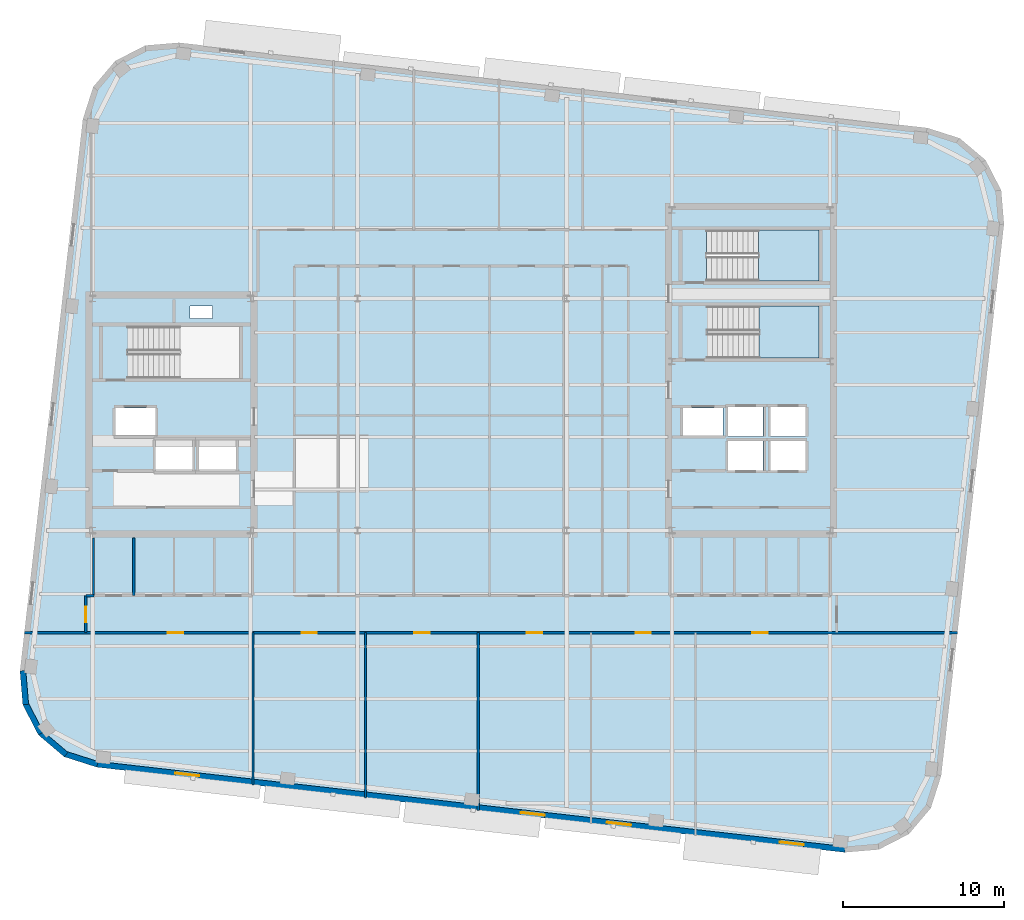
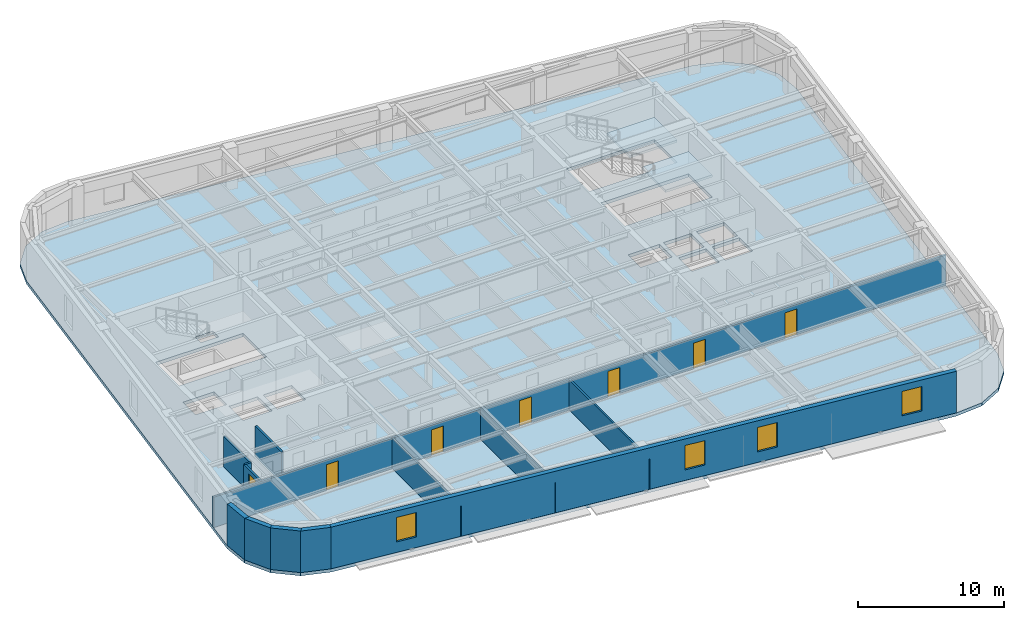
# One storey, part 5 of 13: 13 walls, 7 doors, 4 windows, 3 slabs, 11 openings, 2 elements without a shape of their own.
"""IFC4 building model written with IfcOpenShell, lengths in metres."""

import ifcopenshell
import ifcopenshell.guid

model = None  # the IFC model being written
_history = None  # IfcOwnerHistory: only IFC2X3 demands one
_inside = {}  # id of a spatial element -> (the spatial element, [elements in it])
_under = {}  # id of a project, library or spatial element -> (it, [spatial elements below it])
_declared = {}  # id of a project -> (the project, [libraries it declares])
_typed = {}  # id of a type object -> (the type object, [elements of that type])
_made_of = {}  # id of a material, layer set ... -> (it, [elements and type objects made of it])


def new_model(schema):
    """Start an empty IFC model of exactly this schema.

    Asked for "IFC4X3", IfcOpenShell would pick the latest addendum, in which some entities
    have other attributes; the version numbers below select the first issue.
    IFC2X3 requires an IfcOwnerHistory on every rooted entity: one is made here for all.
    """
    global model, _history
    if schema == "IFC4X3":
        model = ifcopenshell.file(schema_version=(4, 3, 0, 0))
    else:
        model = ifcopenshell.file(schema=schema)
    _inside.clear()
    _under.clear()
    _declared.clear()
    _typed.clear()
    _made_of.clear()
    _history = None
    if model.schema == "IFC2X3":
        org = make("IfcOrganization", Name="unknown")
        user = make(
            "IfcPersonAndOrganization",
            ThePerson=make("IfcPerson", FamilyName="unknown"),
            TheOrganization=org,
        )
        app = make(
            "IfcApplication",
            ApplicationDeveloper=org,
            Version="unknown",
            ApplicationFullName="unknown",
            ApplicationIdentifier="unknown",
        )
        _history = make(
            "IfcOwnerHistory",
            OwningUser=user,
            OwningApplication=app,
            ChangeAction="ADDED",
            CreationDate=0,
        )
    return model


def make(cls, **values):
    """One entity of the class cls with the attributes given. An attribute that is None is left unset."""
    return model.create_entity(
        cls, **{name: value for name, value in values.items() if value is not None}
    )


def rooted(cls, **values):
    """An entity with a GlobalId (a new one), such as an element, a storey or a relation."""
    return make(cls, GlobalId=ifcopenshell.guid.new(), OwnerHistory=_history, **values)


def si_unit(unit_type, name, prefix=None):
    """IfcSIUnit, for example si_unit("LENGTHUNIT", "METRE", prefix="MILLI")."""
    return make("IfcSIUnit", UnitType=unit_type, Prefix=prefix, Name=name)


def assignment(units):
    """IfcUnitAssignment: the units of a project."""
    return None if units is None else make("IfcUnitAssignment", Units=units)


def point(xyz):
    """IfcCartesianPoint."""
    return None if xyz is None else make("IfcCartesianPoint", Coordinates=xyz)


def direction(xyz):
    """IfcDirection."""
    return None if xyz is None else make("IfcDirection", DirectionRatios=xyz)


def frame(location, z_axis=None, x_axis=None):
    """IfcAxis2Placement3D, a coordinate frame: its origin and axes. An axis left out is left unset."""
    return make(
        "IfcAxis2Placement3D",
        Location=point(location),
        Axis=direction(z_axis),
        RefDirection=direction(x_axis),
    )


def frame_2d(location, x_axis=None):
    """IfcAxis2Placement2D, a coordinate frame in the plane: its origin and x axis."""
    return make(
        "IfcAxis2Placement2D", Location=point(location), RefDirection=direction(x_axis)
    )


def origin():
    """The frame at (0, 0, 0) with its axes left unset."""
    return frame((0.0, 0.0, 0.0))


def place(relative_to, where):
    """IfcLocalPlacement: puts the frame where relative to a parent placement (None: the world)."""
    return make(
        "IfcLocalPlacement", PlacementRelTo=relative_to, RelativePlacement=where
    )


def context(
    kind, dimensions, precision=None, world=None, true_north=None, identifier=None
):
    """IfcGeometricRepresentationContext, for example the 3D "Model" context."""
    return make(
        "IfcGeometricRepresentationContext",
        ContextIdentifier=identifier,
        ContextType=kind,
        CoordinateSpaceDimension=dimensions,
        Precision=precision,
        WorldCoordinateSystem=world,
        TrueNorth=true_north,
    )


def subcontext(parent, identifier, kind, view, scale=None):
    """IfcGeometricRepresentationSubContext, for example "Body" below "Model"."""
    return make(
        "IfcGeometricRepresentationSubContext",
        ContextIdentifier=identifier,
        ContextType=kind,
        ParentContext=parent,
        TargetScale=scale,
        TargetView=view,
    )


def project(units=None, contexts=None):
    """IfcProject with its units and contexts."""
    return rooted(
        "IfcProject",
        Name="project",
        RepresentationContexts=contexts,
        UnitsInContext=assignment(units),
    )


def spatial(cls, under=None, at=None, **own):
    """A site, building, storey or space (cls), placed at a placement, below another one or the project."""
    s = rooted(cls, ObjectPlacement=at, **own)
    if under is not None:
        _under.setdefault(under.id(), (under, []))[1].append(s)
    return s


def polyline(points):
    """IfcPolyline through the points."""
    return make("IfcPolyline", Points=[point(p) for p in points])


def profile(cls, at=None, kind="AREA", **sizes):
    """A parametric profile (cls). Its sizes go by their IFC names, for example OverallWidth=200.0."""
    return make(cls, ProfileType=kind, Position=at, **sizes)


def rectangle(**sizes):
    """IfcRectangleProfileDef."""
    return profile("IfcRectangleProfileDef", **sizes)


def outline(outer, holes=None, kind="AREA"):
    """IfcArbitraryClosedProfileDef: a profile drawn as a closed curve; with holes, ...WithVoids."""
    if holes is None:
        return make("IfcArbitraryClosedProfileDef", ProfileType=kind, OuterCurve=outer)
    return make(
        "IfcArbitraryProfileDefWithVoids",
        ProfileType=kind,
        OuterCurve=outer,
        InnerCurves=holes,
    )


def extrude(swept, where, along, depth):
    """IfcExtrudedAreaSolid: the profile swept, set in the frame where, extruded along a direction by depth."""
    return make(
        "IfcExtrudedAreaSolid",
        SweptArea=swept,
        Position=where,
        ExtrudedDirection=direction(along),
        Depth=depth,
    )


def shape(context_of_items, identifier, shape_type, items):
    """IfcShapeRepresentation: the items that make up one representation, for example the "Body"."""
    return make(
        "IfcShapeRepresentation",
        ContextOfItems=context_of_items,
        RepresentationIdentifier=identifier,
        RepresentationType=shape_type,
        Items=items,
    )


def material(Name=None, Category=None):
    """IfcMaterial."""
    return make("IfcMaterial", Name=Name, Category=Category)


def layer(
    of_material, thickness, ventilated=None, Name=None, Category=None, Priority=None
):
    """IfcMaterialLayer: one layer of a wall or slab, of a material (None: an air gap)."""
    return make(
        "IfcMaterialLayer",
        Material=of_material,
        LayerThickness=thickness,
        IsVentilated=ventilated,
        Name=Name,
        Category=Category,
        Priority=Priority,
    )


def layer_set(layers, Name=None):
    """IfcMaterialLayerSet."""
    return make("IfcMaterialLayerSet", MaterialLayers=layers, LayerSetName=Name)


def made_of(thing, what):
    """Note that an element or type object is made of a material, layer set ...; save() writes the relation."""
    if what is not None:
        _made_of.setdefault(what.id(), (what, []))[1].append(thing)
    return thing


def type_object(cls, material=None, **own):
    """A type object (cls), such as IfcWallType, which elements share."""
    return made_of(rooted(cls, **own), material)


def element(
    cls,
    number,
    at=None,
    inside=None,
    cuts=None,
    type_object=None,
    material=None,
    context=None,
    identifier="Body",
    shape_type=None,
    held_by="IfcProductDefinitionShape",
    body=None,
    shapes=None,
    **own,
):
    """One element of the class cls, such as IfcWall. Its Tag is "e" and its number.

    at: its placement. inside: the storey or other place that contains it. cuts: it is an
    opening in that element (IfcRelVoidsElement). A single representation is given by context,
    identifier, shape_type and body (its items); several are given by shapes. held_by: the class
    of the entity that holds the representations. save() writes the other relations.
    """
    e = rooted(cls, Tag="e%d" % number, ObjectPlacement=at, **own)
    if body is not None:
        shapes = [shape(context, identifier, shape_type, body)]
    if shapes is not None:
        e.Representation = make(held_by, Representations=shapes)
    if inside is not None:
        _inside.setdefault(inside.id(), (inside, []))[1].append(e)
    if cuts is not None:
        rooted(
            "IfcRelVoidsElement", RelatingBuildingElement=cuts, RelatedOpeningElement=e
        )
    if type_object is not None:
        _typed.setdefault(type_object.id(), (type_object, []))[1].append(e)
    return made_of(e, material)


def fill(opening, filler):
    """IfcRelFillsElement: the door or window that sits in an opening."""
    return rooted(
        "IfcRelFillsElement",
        RelatingOpeningElement=opening,
        RelatedBuildingElement=filler,
    )


def aggregate(whole, parts):
    """IfcRelAggregates: a whole, such as a stair, and the parts it consists of."""
    return rooted("IfcRelAggregates", RelatingObject=whole, RelatedObjects=parts)


def save(model, path):
    """Write the relations noted so far, then the file.

    IfcRelAggregates (storeys below a building ...), IfcRelContainedInSpatialStructure (elements
    in a storey), IfcRelDefinesByType, IfcRelAssociatesMaterial and IfcRelDeclares: one each for
    every whole, place, type object, material and project.
    """
    for whole, parts in _under.values():
        aggregate(whole, parts)
    for where, things in _inside.values():
        rooted(
            "IfcRelContainedInSpatialStructure",
            RelatedElements=things,
            RelatingStructure=where,
        )
    for kind, things in _typed.values():
        rooted("IfcRelDefinesByType", RelatedObjects=things, RelatingType=kind)
    for what, things in _made_of.values():
        rooted("IfcRelAssociatesMaterial", RelatedObjects=things, RelatingMaterial=what)
    for by, libraries in _declared.values():
        rooted("IfcRelDeclares", RelatingContext=by, RelatedDefinitions=libraries)
    model.write(path)


model = new_model("IFC4")

# Units and contexts
model_context = context("Model", 3, precision=1e-05, world=origin(), true_north=direction((0.0, 1.0)))
body_context = subcontext(model_context, "Body", "Model", "MODEL_VIEW")
ifc_project = project(units=[si_unit("LENGTHUNIT", "METRE"), si_unit("AREAUNIT", "SQUARE_METRE"), si_unit("VOLUMEUNIT", "CUBIC_METRE"), si_unit("PLANEANGLEUNIT", "RADIAN"), si_unit("MASSUNIT", "GRAM", prefix="KILO")], contexts=[model_context])

# Site, building, storey
site_placement = place(None, origin())
site = spatial("IfcSite", under=ifc_project, at=site_placement, CompositionType="ELEMENT")
building_placement = place(site_placement, origin())
building = spatial("IfcBuilding", under=site, at=building_placement, Name="Kolvaren Arena Tower", CompositionType="ELEMENT")
storey_placement = place(building_placement, frame((0.0, 0.0, 232.199951171875)))
storey = spatial("IfcBuildingStorey", under=building, at=storey_placement, Name="L56", CompositionType="ELEMENT", Elevation=232.199951171875)

# Stair, slab
ifc_material_1 = material(Name="Concrete 45 MPa", Category="concrete")
stair_type_1 = type_object("IfcStairType", Name="STAIR-CORE-165", PredefinedType="HALF_TURN_STAIR", material=ifc_material_1)
stair_1_placement = place(storey_placement, origin())
stair_1 = element("IfcStair", 1, at=stair_1_placement, inside=storey, type_object=stair_type_1, Name="L56 ST-E1", PredefinedType="HALF_TURN_STAIR")
ifc_layer_1 = layer(ifc_material_1, 0.199951171875)
ifc_layer_set_1 = layer_set([ifc_layer_1], Name="Concrete 45 MPa")
slab_type_1 = type_object("IfcSlabType", Name="SLAB-LAND", PredefinedType="LANDING", material=ifc_layer_set_1)
slab_1_placement = place(storey_placement, frame((0.0, 0.0, 1.675048828125)))
slab_1 = element("IfcSlab", 2, at=slab_1_placement, type_object=slab_type_1, Name="ST-E1 landing 1", PredefinedType="LANDING", context=body_context, shape_type="SweptSolid", body=[
    extrude(outline(polyline([(55.9599609375, 30.14990234375), (59.659912109375, 30.14990234375), (59.659912109375, 33.3798828125), (55.9599609375, 33.3798828125), (55.9599609375, 30.14990234375)])), origin(), (0.0, 0.0, 1.0), 0.199951171875),
])
aggregate(stair_1, [slab_1])

stair_type_2 = type_object("IfcStairType", Name="STAIR-CORE-150", PredefinedType="HALF_TURN_STAIR", material=ifc_material_1)
stair_2_placement = place(storey_placement, origin())
stair_2 = element("IfcStair", 3, at=stair_2_placement, inside=storey, type_object=stair_type_2, Name="L56 ST-E2", PredefinedType="HALF_TURN_STAIR")
slab_2_placement = place(storey_placement, frame((0.0, 0.0, 1.675048828125)))
slab_2 = element("IfcSlab", 4, at=slab_2_placement, type_object=slab_type_1, Name="ST-E2 landing 1", PredefinedType="LANDING", context=body_context, shape_type="SweptSolid", body=[
    extrude(outline(polyline([(55.919921875, 34.949951171875), (59.659912109375, 34.949951171875), (59.659912109375, 38.10009765625), (55.919921875, 38.10009765625), (55.919921875, 34.949951171875)])), origin(), (0.0, 0.0, 1.0), 0.199951171875),
])
aggregate(stair_2, [slab_2])

# Slab
ifc_layer_2 = layer(ifc_material_1, 0.27001953125)
ifc_layer_set_2 = layer_set([ifc_layer_2], Name="Concrete 45 MPa")
slab_type_2 = type_object("IfcSlabType", Name="SLAB-OFF2", PredefinedType="FLOOR", material=ifc_layer_set_2)
slab_3_placement = place(storey_placement, frame((0.0, 0.0, -0.27001953125)))
element("IfcSlab", 5, at=slab_3_placement, inside=storey, type_object=slab_type_2, Name="L56 Primary Structural Slab", PredefinedType="FLOOR", context=body_context, shape_type="SweptSolid", body=[
    extrude(outline(polyline([(61.285400390625, -0.553466796875), (63.38525390625, -0.37890625), (65.25830078125, 0.585693359375), (66.619873046875, 2.194091796875), (67.26220703125, 4.20068359375), (71.16748046875, 38.47900390625), (70.9931640625, 40.57861328125), (70.0283203125, 42.45166015625), (68.42041015625, 43.81298828125), (66.41357421875, 44.455322265625), (19.91455078125, 49.75341796875), (17.814697265625, 49.578857421875), (15.941650390625, 48.6142578125), (14.580078125, 47.006103515625), (13.93798828125, 44.99951171875), (10.032470703125, 10.72119140625), (10.206787109375, 8.621337890625), (11.171630859375, 6.748291015625), (12.77978515625, 5.386962890625), (14.786376953125, 4.74462890625), (61.285400390625, -0.553466796875)]), holes=[polyline([(20.739990234375, 23.135009765625), (18.4599609375, 23.135009765625), (18.4599609375, 25.06494140625), (20.739990234375, 25.06494140625), (20.739990234375, 23.135009765625)]), polyline([(21.159912109375, 23.135009765625), (21.159912109375, 25.06494140625), (23.43994140625, 25.06494140625), (23.43994140625, 23.135009765625), (21.159912109375, 23.135009765625)]), polyline([(56.2099609375, 23.18505859375), (54.030029296875, 23.18505859375), (54.030029296875, 25.014892578125), (56.2099609375, 25.014892578125), (56.2099609375, 23.18505859375)]), polyline([(56.669921875, 23.18505859375), (56.669921875, 25.014892578125), (58.85009765625, 25.014892578125), (58.85009765625, 23.18505859375), (56.669921875, 23.18505859375)]), polyline([(54.030029296875, 25.284912109375), (54.030029296875, 27.114990234375), (56.2099609375, 27.114990234375), (56.2099609375, 25.284912109375), (54.030029296875, 25.284912109375)]), polyline([(58.85009765625, 25.284912109375), (56.669921875, 25.284912109375), (56.669921875, 27.114990234375), (58.85009765625, 27.114990234375), (58.85009765625, 25.284912109375)]), polyline([(15.9599609375, 25.3349609375), (15.9599609375, 27.06494140625), (18.43994140625, 27.06494140625), (18.43994140625, 25.3349609375), (15.9599609375, 25.3349609375)]), polyline([(53.699951171875, 25.3349609375), (51.219970703125, 25.3349609375), (51.219970703125, 27.06494140625), (53.699951171875, 27.06494140625), (53.699951171875, 25.3349609375)]), polyline([(16.735107421875, 28.89990234375), (16.735107421875, 32.1298828125), (23.659912109375, 32.1298828125), (23.659912109375, 28.89990234375), (16.735107421875, 28.89990234375)]), polyline([(52.735107421875, 30.14990234375), (52.735107421875, 33.3798828125), (59.659912109375, 33.3798828125), (59.659912109375, 30.14990234375), (52.735107421875, 30.14990234375)]), polyline([(20.60009765625, 32.6201171875), (20.60009765625, 33.39990234375), (22.0, 33.39990234375), (22.0, 32.6201171875), (20.60009765625, 32.6201171875)]), polyline([(52.695068359375, 34.949951171875), (52.695068359375, 38.10009765625), (59.659912109375, 38.10009765625), (59.659912109375, 34.949951171875), (52.695068359375, 34.949951171875)])]), origin(), (0.0, 0.0, 1.0), 0.27001953125),
])

# Wall, openings, doors
ifc_material_2 = material(Name="Gypsum board acoustic assembly", Category="gypsum")
ifc_layer_3 = layer(ifc_material_2, 0.159912109375)
ifc_layer_set_3 = layer_set([ifc_layer_3], Name="Gypsum board acoustic assembly")
wall_type_1 = type_object("IfcWallType", Name="CORR-160", PredefinedType="PARTITIONING", material=ifc_layer_set_3)
wall_1_placement = place(storey_placement, frame((10.303466796875, 13.10009765625, 0.0), z_axis=(0.0, 0.0, 1.0), x_axis=(1.0, 0.0, 0.0)))
wall_1 = element("IfcWall", 6, at=wall_1_placement, inside=storey, type_object=wall_type_1, Name="Interior Partition Wall (L56)", PredefinedType="PARTITIONING", context=body_context, shape_type="SweptSolid", body=[
    extrude(rectangle(XDim=57.97265625, YDim=0.159912109375, at=frame_2d((28.986328125, 0.0))), origin(), (0.0, 0.0, 1.0), 2.5400390625),
])
opening_1_placement = place(wall_1_placement, frame((8.921630859375, 0.0, 0.0)))
opening_1 = element("IfcOpeningElement", 7, at=opening_1_placement, cuts=wall_1, Name="Opening D05", PredefinedType="OPENING", context=body_context, shape_type="SweptSolid", body=[
    extrude(rectangle(XDim=0.949951171875, YDim=2.14990234375, at=frame_2d((0.47509765625, 1.074951171875))), frame((0.0, 0.08984375, 0.0), z_axis=(0.0, -1.0, 0.0), x_axis=(1.0, 0.0, 0.0)), (0.0, 0.0, 1.0), 0.179931640625),
])
opening_2_placement = place(wall_1_placement, frame((17.2216796875, 0.0, 0.0)))
opening_2 = element("IfcOpeningElement", 8, at=opening_2_placement, cuts=wall_1, Name="Opening D05", PredefinedType="OPENING", context=body_context, shape_type="SweptSolid", body=[
    extrude(rectangle(XDim=0.949951171875, YDim=2.14990234375, at=frame_2d((0.47509765625, 1.074951171875))), frame((0.0, 0.08984375, 0.0), z_axis=(0.0, -1.0, 0.0), x_axis=(1.0, 0.0, 0.0)), (0.0, 0.0, 1.0), 0.179931640625),
])
opening_3_placement = place(wall_1_placement, frame((24.2216796875, 0.0, 0.0)))
opening_3 = element("IfcOpeningElement", 9, at=opening_3_placement, cuts=wall_1, Name="Opening D05", PredefinedType="OPENING", context=body_context, shape_type="SweptSolid", body=[
    extrude(rectangle(XDim=0.949951171875, YDim=2.14990234375, at=frame_2d((0.47509765625, 1.074951171875))), frame((0.0, 0.08984375, 0.0), z_axis=(0.0, -1.0, 0.0), x_axis=(1.0, 0.0, 0.0)), (0.0, 0.0, 1.0), 0.179931640625),
])
opening_4_placement = place(wall_1_placement, frame((31.2216796875, 0.0, 0.0)))
opening_4 = element("IfcOpeningElement", 10, at=opening_4_placement, cuts=wall_1, Name="Opening D05", PredefinedType="OPENING", context=body_context, shape_type="SweptSolid", body=[
    extrude(rectangle(XDim=0.949951171875, YDim=2.14990234375, at=frame_2d((0.47509765625, 1.074951171875))), frame((0.0, 0.08984375, 0.0), z_axis=(0.0, -1.0, 0.0), x_axis=(1.0, 0.0, 0.0)), (0.0, 0.0, 1.0), 0.179931640625),
])
opening_5_placement = place(wall_1_placement, frame((37.9716796875, 0.0, 0.0)))
opening_5 = element("IfcOpeningElement", 11, at=opening_5_placement, cuts=wall_1, Name="Opening D05", PredefinedType="OPENING", context=body_context, shape_type="SweptSolid", body=[
    extrude(rectangle(XDim=0.949951171875, YDim=2.14990234375, at=frame_2d((0.47509765625, 1.074951171875))), frame((0.0, 0.08984375, 0.0), z_axis=(0.0, -1.0, 0.0), x_axis=(1.0, 0.0, 0.0)), (0.0, 0.0, 1.0), 0.179931640625),
])
opening_6_placement = place(wall_1_placement, frame((45.2216796875, 0.0, 0.0)))
opening_6 = element("IfcOpeningElement", 12, at=opening_6_placement, cuts=wall_1, Name="Opening D05", PredefinedType="OPENING", context=body_context, shape_type="SweptSolid", body=[
    extrude(rectangle(XDim=0.949951171875, YDim=2.14990234375, at=frame_2d((0.47509765625, 1.074951171875))), frame((0.0, 0.08984375, 0.0), z_axis=(0.0, -1.0, 0.0), x_axis=(1.0, 0.0, 0.0)), (0.0, 0.0, 1.0), 0.179931640625),
])
ifc_material_3 = material(Name="Solid-core oak acoustic office door", Category="wood")
door_type = type_object("IfcDoorType", Name="DOOR-OF-095", OperationType="NOTDEFINED", PredefinedType="DOOR", material=ifc_material_3)
door_1_placement = place(opening_1_placement, origin())
door_1 = element("IfcDoor", 13, at=door_1_placement, inside=storey, type_object=door_type, Name="Technical Engineering Office Door (L56)", OperationType="SINGLE_SWING_RIGHT", OverallHeight=2.14990234375, OverallWidth=0.949951171875, PredefinedType="DOOR", context=body_context, shape_type="SweptSolid", body=[
    extrude(rectangle(XDim=0.949951171875, YDim=2.14990234375, at=frame_2d((0.47509765625, 1.074951171875))), frame((0.0, 0.02490234375, 0.0), z_axis=(0.0, -1.0, 0.0), x_axis=(1.0, 0.0, 0.0)), (0.0, 0.0, 1.0), 0.050048828125),
])
fill(opening_1, door_1)
door_2_placement = place(opening_2_placement, origin())
door_2 = element("IfcDoor", 14, at=door_2_placement, inside=storey, type_object=door_type, Name="Open Plan Office Door (L56)", OperationType="SINGLE_SWING_LEFT", OverallHeight=2.14990234375, OverallWidth=0.949951171875, PredefinedType="DOOR", context=body_context, shape_type="SweptSolid", body=[
    extrude(rectangle(XDim=0.949951171875, YDim=2.14990234375, at=frame_2d((0.47509765625, 1.074951171875))), frame((0.0, 0.02490234375, 0.0), z_axis=(0.0, -1.0, 0.0), x_axis=(1.0, 0.0, 0.0)), (0.0, 0.0, 1.0), 0.050048828125),
])
fill(opening_2, door_2)
door_3_placement = place(opening_3_placement, origin())
door_3 = element("IfcDoor", 15, at=door_3_placement, inside=storey, type_object=door_type, Name="Training Seminar Room Door (L56)", OperationType="SINGLE_SWING_RIGHT", OverallHeight=2.14990234375, OverallWidth=0.949951171875, PredefinedType="DOOR", context=body_context, shape_type="SweptSolid", body=[
    extrude(rectangle(XDim=0.949951171875, YDim=2.14990234375, at=frame_2d((0.47509765625, 1.074951171875))), frame((0.0, 0.02490234375, 0.0), z_axis=(0.0, -1.0, 0.0), x_axis=(1.0, 0.0, 0.0)), (0.0, 0.0, 1.0), 0.050048828125),
])
fill(opening_3, door_3)
door_4_placement = place(opening_4_placement, origin())
door_4 = element("IfcDoor", 16, at=door_4_placement, inside=storey, type_object=door_type, Name="Executive Office Door (L56)", OperationType="SINGLE_SWING_LEFT", OverallHeight=2.14990234375, OverallWidth=0.949951171875, PredefinedType="DOOR", context=body_context, shape_type="SweptSolid", body=[
    extrude(rectangle(XDim=0.949951171875, YDim=2.14990234375, at=frame_2d((0.47509765625, 1.074951171875))), frame((0.0, 0.02490234375, 0.0), z_axis=(0.0, -1.0, 0.0), x_axis=(1.0, 0.0, 0.0)), (0.0, 0.0, 1.0), 0.050048828125),
])
fill(opening_4, door_4)
door_5_placement = place(opening_5_placement, origin())
door_5 = element("IfcDoor", 17, at=door_5_placement, inside=storey, type_object=door_type, Name="Boardroom Door (L56)", OperationType="SINGLE_SWING_RIGHT", OverallHeight=2.14990234375, OverallWidth=0.949951171875, PredefinedType="DOOR", context=body_context, shape_type="SweptSolid", body=[
    extrude(rectangle(XDim=0.949951171875, YDim=2.14990234375, at=frame_2d((0.47509765625, 1.074951171875))), frame((0.0, 0.02490234375, 0.0), z_axis=(0.0, -1.0, 0.0), x_axis=(1.0, 0.0, 0.0)), (0.0, 0.0, 1.0), 0.050048828125),
])
fill(opening_5, door_5)
door_6_placement = place(opening_6_placement, origin())
door_6 = element("IfcDoor", 18, at=door_6_placement, inside=storey, type_object=door_type, Name="Breakout Pantry and Kitchen Door (L56)", OperationType="SINGLE_SWING_LEFT", OverallHeight=2.14990234375, OverallWidth=0.949951171875, PredefinedType="DOOR", context=body_context, shape_type="SweptSolid", body=[
    extrude(rectangle(XDim=0.949951171875, YDim=2.14990234375, at=frame_2d((0.47509765625, 1.074951171875))), frame((0.0, 0.02490234375, 0.0), z_axis=(0.0, -1.0, 0.0), x_axis=(1.0, 0.0, 0.0)), (0.0, 0.0, 1.0), 0.050048828125),
])
fill(opening_6, door_6)

# Wall, opening, door
wall_2_placement = place(storey_placement, frame((14.1201171875, 13.10009765625, 0.0), z_axis=(0.0, 0.0, 1.0), x_axis=(0.0, 1.0, 0.0)))
wall_2 = element("IfcWall", 19, at=wall_2_placement, inside=storey, type_object=wall_type_1, Name="Interior Partition Wall (L56)", PredefinedType="PARTITIONING", context=body_context, shape_type="SweptSolid", body=[
    extrude(rectangle(XDim=2.2998046875, YDim=0.159912109375, at=frame_2d((1.14990234375, 0.0))), origin(), (0.0, 0.0, 1.0), 2.5400390625),
])
opening_7_placement = place(wall_2_placement, frame((0.64990234375, 0.0, 0.0)))
opening_7 = element("IfcOpeningElement", 20, at=opening_7_placement, cuts=wall_2, Name="Opening D05", PredefinedType="OPENING", context=body_context, shape_type="SweptSolid", body=[
    extrude(rectangle(XDim=0.949951171875, YDim=2.14990234375, at=frame_2d((0.47509765625, 1.074951171875))), frame((0.0, 0.08984375, 0.0), z_axis=(0.0, -1.0, 0.0), x_axis=(1.0, 0.0, 0.0)), (0.0, 0.0, 1.0), 0.179931640625),
])
door_7_placement = place(opening_7_placement, origin())
door_7 = element("IfcDoor", 21, at=door_7_placement, inside=storey, type_object=door_type, Name="West Wing Office Door (L56)", OperationType="SINGLE_SWING_LEFT", OverallHeight=2.14990234375, OverallWidth=0.949951171875, PredefinedType="DOOR", context=body_context, shape_type="SweptSolid", body=[
    extrude(rectangle(XDim=0.949951171875, YDim=2.14990234375, at=frame_2d((0.47509765625, 1.074951171875))), frame((0.0, 0.02490234375, 0.0), z_axis=(0.0, -1.0, 0.0), x_axis=(1.0, 0.0, 0.0)), (0.0, 0.0, 1.0), 0.050048828125),
])
fill(opening_7, door_7)

# Walls
wall_3_placement = place(storey_placement, frame((14.1201171875, 15.39990234375, 0.0), z_axis=(0.0, 0.0, 1.0), x_axis=(1.0, 0.0, 0.0)))
element("IfcWall", 22, at=wall_3_placement, inside=storey, type_object=wall_type_1, Name="Interior Partition Wall (L56)", PredefinedType="PARTITIONING", context=body_context, shape_type="SweptSolid", body=[
    extrude(rectangle(XDim=0.5, YDim=0.159912109375, at=frame_2d((0.25, 0.0))), origin(), (0.0, 0.0, 1.0), 2.5400390625),
])
ifc_material_4 = material(Name="Precast concrete C50/60", Category="concrete")
ifc_layer_4 = layer(ifc_material_4, 0.360107421875)
ifc_layer_set_4 = layer_set([ifc_layer_4], Name="Precast concrete C50/60")
wall_type_2 = type_object("IfcWallType", Name="EXT-PIER2", PredefinedType="SOLIDWALL", material=ifc_layer_set_4)
wall_4_placement = place(storey_placement, frame((10.38623046875, 8.63623046875, 0.0), z_axis=(0.0, 0.0, 1.0), x_axis=(-0.082729038891, 0.996572077737, 0.0)))
element("IfcWall", 23, at=wall_4_placement, inside=storey, type_object=wall_type_2, Name="Exterior Precast Masonry-Frame Wall (L56)", PredefinedType="SOLIDWALL", context=body_context, shape_type="SweptSolid", body=[
    extrude(rectangle(XDim=2.107177734375, YDim=0.360107421875, at=frame_2d((1.0537109375, 0.0))), origin(), (0.0, 0.0, 1.0), 3.47998046875),
])
for number, where, z_axis, x_axis, name in (
    (24, (11.33154296875, 6.830810546875, 0.0), (0.0, 0.0, 1.0), (-0.457934390142, 0.888985992199, 0.0), "Exterior Precast Masonry-Frame Wall (L56)"),
    (25, (12.89599609375, 5.5244140625, 0.0), (0.0, 0.0, 1.0), (-0.763250018691, 0.646103249464, 0.0), "Exterior Precast Masonry-Frame Wall (L56)"),
    (26, (14.84130859375, 4.916015625, 0.0), (0.0, 0.0, 1.0), (-0.952393196904, 0.304872429864, 0.0), "Exterior Precast Masonry-Frame Wall (L56)"),
):
    element("IfcWall", number, at=place(storey_placement, frame(where, z_axis=z_axis, x_axis=x_axis)), inside=storey, type_object=wall_type_2, Name=name, PredefinedType="SOLIDWALL", context=body_context, shape_type="SweptSolid", body=[
        extrude(rectangle(XDim=2.10693359375, YDim=0.360107421875, at=frame_2d((1.053466796875, 0.0))), origin(), (0.0, 0.0, 1.0), 3.47998046875),
    ])

# Wall, openings, windows
wall_5_placement = place(storey_placement, frame((61.305908203125, -0.37451171875, 0.0), z_axis=(0.0, 0.0, 1.0), x_axis=(-0.993571958919, 0.113202307616, 0.0)))
wall_5 = element("IfcWall", 27, at=wall_5_placement, inside=storey, type_object=wall_type_2, Name="Exterior Precast Masonry-Frame Wall (L56)", PredefinedType="SOLIDWALL", context=body_context, shape_type="SweptSolid", body=[
    extrude(rectangle(XDim=46.7998046875, YDim=0.360107421875, at=frame_2d((23.39990234375, 0.0))), origin(), (0.0, 0.0, 1.0), 3.47998046875),
])
opening_8_placement = place(wall_5_placement, frame((2.60009765625, 0.0, 0.8798828125)))
opening_8 = element("IfcOpeningElement", 28, at=opening_8_placement, cuts=wall_5, Name="Opening W03", PredefinedType="OPENING", context=body_context, shape_type="SweptSolid", body=[
    extrude(rectangle(XDim=1.5, YDim=2.050048828125, at=frame_2d((0.75, 1.02490234375))), frame((0.0, 0.18994140625, 0.0), z_axis=(0.0, -1.0, 0.0), x_axis=(1.0, 0.0, 0.0)), (0.0, 0.0, 1.0), 0.380126953125),
])
opening_9_placement = place(wall_5_placement, frame((13.39990234375, 0.0, 0.8798828125)))
opening_9 = element("IfcOpeningElement", 29, at=opening_9_placement, cuts=wall_5, Name="Opening W03", PredefinedType="OPENING", context=body_context, shape_type="SweptSolid", body=[
    extrude(rectangle(XDim=1.5, YDim=2.050048828125, at=frame_2d((0.75, 1.02490234375))), frame((0.0, 0.18994140625, 0.0), z_axis=(0.0, -1.0, 0.0), x_axis=(1.0, 0.0, 0.0)), (0.0, 0.0, 1.0), 0.380126953125),
])
opening_10_placement = place(wall_5_placement, frame((18.800048828125, 0.0, 0.8798828125)))
opening_10 = element("IfcOpeningElement", 30, at=opening_10_placement, cuts=wall_5, Name="Opening W03", PredefinedType="OPENING", context=body_context, shape_type="SweptSolid", body=[
    extrude(rectangle(XDim=1.5, YDim=2.050048828125, at=frame_2d((0.75, 1.02490234375))), frame((0.0, 0.18994140625, 0.0), z_axis=(0.0, -1.0, 0.0), x_axis=(1.0, 0.0, 0.0)), (0.0, 0.0, 1.0), 0.380126953125),
])
opening_11_placement = place(wall_5_placement, frame((40.39990234375, 0.0, 0.8798828125)))
opening_11 = element("IfcOpeningElement", 31, at=opening_11_placement, cuts=wall_5, Name="Opening W03", PredefinedType="OPENING", context=body_context, shape_type="SweptSolid", body=[
    extrude(rectangle(XDim=1.5, YDim=2.050048828125, at=frame_2d((0.75, 1.02490234375))), frame((0.0, 0.18994140625, 0.0), z_axis=(0.0, -1.0, 0.0), x_axis=(1.0, 0.0, 0.0)), (0.0, 0.0, 1.0), 0.380126953125),
])
ifc_material_5 = material(Name="Triple-glazed low-E aluminium window", Category="aluminium")
window_type = type_object("IfcWindowType", Name="WIN-OFF-C", PartitioningType="SINGLE_PANEL", PredefinedType="WINDOW", material=ifc_material_5)
window_1_placement = place(opening_8_placement, origin())
window_1 = element("IfcWindow", 32, at=window_1_placement, inside=storey, type_object=window_type, Name="Punched Precast-Pier Window (L56)", OverallHeight=2.050048828125, OverallWidth=1.5, PartitioningType="SINGLE_PANEL", PredefinedType="WINDOW", context=body_context, shape_type="SweptSolid", body=[
    extrude(rectangle(XDim=1.5, YDim=2.050048828125, at=frame_2d((0.75, 1.02490234375))), frame((0.0, 0.030029296875, 0.0), z_axis=(0.0, -1.0, 0.0), x_axis=(1.0, 0.0, 0.0)), (0.0, 0.0, 1.0), 0.06005859375),
])
fill(opening_8, window_1)
window_2_placement = place(opening_9_placement, origin())
window_2 = element("IfcWindow", 33, at=window_2_placement, inside=storey, type_object=window_type, Name="Punched Precast-Pier Window (L56)", OverallHeight=2.050048828125, OverallWidth=1.5, PartitioningType="SINGLE_PANEL", PredefinedType="WINDOW", context=body_context, shape_type="SweptSolid", body=[
    extrude(rectangle(XDim=1.5, YDim=2.050048828125, at=frame_2d((0.75, 1.02490234375))), frame((0.0, 0.030029296875, 0.0), z_axis=(0.0, -1.0, 0.0), x_axis=(1.0, 0.0, 0.0)), (0.0, 0.0, 1.0), 0.06005859375),
])
fill(opening_9, window_2)
window_3_placement = place(opening_10_placement, origin())
window_3 = element("IfcWindow", 34, at=window_3_placement, inside=storey, type_object=window_type, Name="Punched Precast-Pier Window (L56)", OverallHeight=2.050048828125, OverallWidth=1.5, PartitioningType="SINGLE_PANEL", PredefinedType="WINDOW", context=body_context, shape_type="SweptSolid", body=[
    extrude(rectangle(XDim=1.5, YDim=2.050048828125, at=frame_2d((0.75, 1.02490234375))), frame((0.0, 0.030029296875, 0.0), z_axis=(0.0, -1.0, 0.0), x_axis=(1.0, 0.0, 0.0)), (0.0, 0.0, 1.0), 0.06005859375),
])
fill(opening_10, window_3)
window_4_placement = place(opening_11_placement, origin())
window_4 = element("IfcWindow", 35, at=window_4_placement, inside=storey, type_object=window_type, Name="Punched Precast-Pier Window (L56)", OverallHeight=2.050048828125, OverallWidth=1.5, PartitioningType="SINGLE_PANEL", PredefinedType="WINDOW", context=body_context, shape_type="SweptSolid", body=[
    extrude(rectangle(XDim=1.5, YDim=2.050048828125, at=frame_2d((0.75, 1.02490234375))), frame((0.0, 0.030029296875, 0.0), z_axis=(0.0, -1.0, 0.0), x_axis=(1.0, 0.0, 0.0)), (0.0, 0.0, 1.0), 0.06005859375),
])
fill(opening_11, window_4)

# Walls
ifc_material_6 = material(Name="Gypsum board partition assembly", Category="gypsum")
ifc_layer_5 = layer(ifc_material_6, 0.135009765625)
ifc_layer_set_5 = layer_set([ifc_layer_5], Name="Gypsum board partition assembly")
wall_type_3 = type_object("IfcWallType", Name="PART-135", PredefinedType="PARTITIONING", material=ifc_layer_set_5)
wall_6_placement = place(storey_placement, frame((24.5, 3.637939453125, 0.0), z_axis=(0.0, 0.0, 1.0), x_axis=(0.0, 1.0, 0.0)))
element("IfcWall", 36, at=wall_6_placement, inside=storey, type_object=wall_type_3, Name="Interior Partition Wall (L56)", PredefinedType="PARTITIONING", context=body_context, shape_type="SweptSolid", body=[
    extrude(rectangle(XDim=9.462158203125, YDim=0.135009765625, at=frame_2d((4.73095703125, 0.0))), origin(), (0.0, 0.0, 1.0), 2.5400390625),
])
wall_7_placement = place(storey_placement, frame((31.5, 2.84033203125, 0.0), z_axis=(0.0, 0.0, 1.0), x_axis=(0.0, 1.0, 0.0)))
element("IfcWall", 37, at=wall_7_placement, inside=storey, type_object=wall_type_3, Name="Interior Partition Wall (L56)", PredefinedType="PARTITIONING", context=body_context, shape_type="SweptSolid", body=[
    extrude(rectangle(XDim=10.259765625, YDim=0.135009765625, at=frame_2d((5.1298828125, 0.0))), origin(), (0.0, 0.0, 1.0), 2.5400390625),
])
wall_8_placement = place(storey_placement, frame((38.5, 2.042724609375, 0.0), z_axis=(0.0, 0.0, 1.0), x_axis=(0.0, 1.0, 0.0)))
element("IfcWall", 38, at=wall_8_placement, inside=storey, type_object=wall_type_3, Name="Interior Partition Wall (L56)", PredefinedType="PARTITIONING", context=body_context, shape_type="SweptSolid", body=[
    extrude(rectangle(XDim=11.057373046875, YDim=0.135009765625, at=frame_2d((5.52880859375, 0.0))), origin(), (0.0, 0.0, 1.0), 2.5400390625),
])
ifc_material_7 = material(Name="Moisture-resistant gypsum assembly", Category="gypsum")
ifc_layer_6 = layer(ifc_material_7, 0.14990234375)
ifc_layer_set_6 = layer_set([ifc_layer_6], Name="Moisture-resistant gypsum assembly")
wall_type_4 = type_object("IfcWallType", Name="WETW-150", PredefinedType="PARTITIONING", material=ifc_layer_set_6)
for number, where, z_axis, x_axis, name in (
    (39, (17.10009765625, 15.39990234375, 0.0), (0.0, 0.0, 1.0), (0.0, 1.0, 0.0), "Interior Partition Wall (L56)"),
    (40, (14.60009765625, 15.39990234375, 0.0), (0.0, 0.0, 1.0), (0.0, 1.0, 0.0), "Interior Partition Wall (L56)"),
):
    element("IfcWall", number, at=place(storey_placement, frame(where, z_axis=z_axis, x_axis=x_axis)), inside=storey, type_object=wall_type_4, Name=name, PredefinedType="PARTITIONING", context=body_context, shape_type="SweptSolid", body=[
        extrude(rectangle(XDim=3.580078125, YDim=0.14990234375, at=frame_2d((1.7900390625, 0.0))), origin(), (0.0, 0.0, 1.0), 2.5400390625),
    ])

save(model, "model.ifc")
